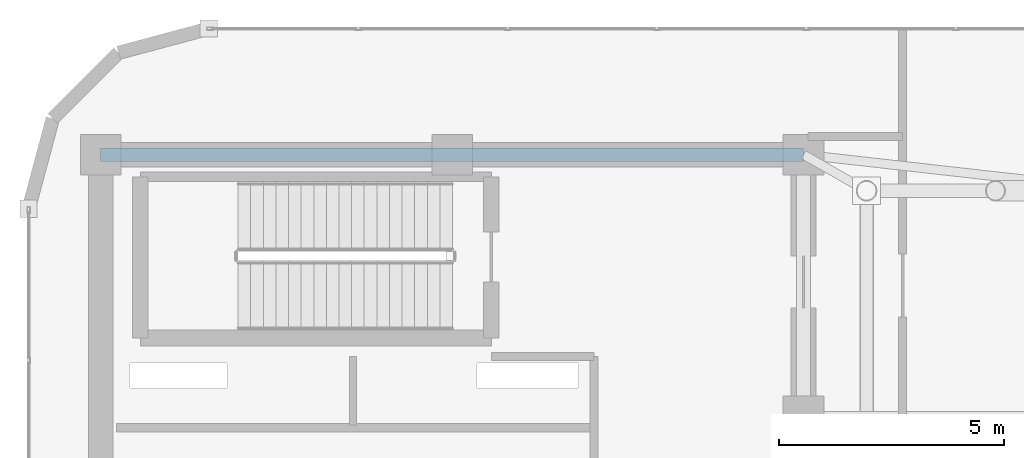
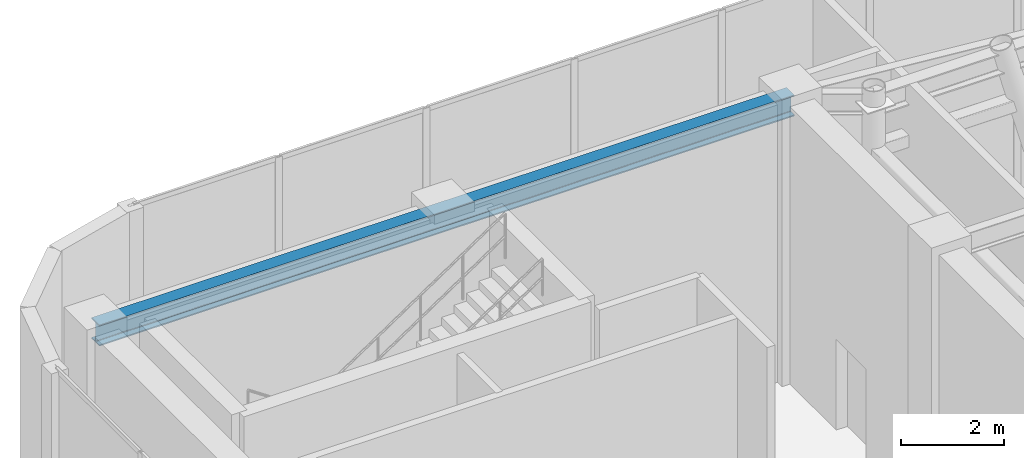
# One storey, part 12 of 24: 1 beam.
"""IFC4 building model written with IfcOpenShell, lengths in metres."""

from ifc_helpers import new_model, si_unit, direction, frame, origin, origin_2d, place, context, subcontext, project, spatial, i_section, extrude, material, material_profile, profile_set, type_object, element, save


model = new_model("IFC4")

# Units and contexts
model_context = context("Model", 3, precision=1e-05, world=origin(), true_north=direction((0.0, 1.0)))
body_context = subcontext(model_context, "Body", "Model", "MODEL_VIEW")
ifc_project = project(units=[si_unit("LENGTHUNIT", "METRE"), si_unit("AREAUNIT", "SQUARE_METRE"), si_unit("VOLUMEUNIT", "CUBIC_METRE"), si_unit("PLANEANGLEUNIT", "RADIAN"), si_unit("MASSUNIT", "GRAM", prefix="KILO")], contexts=[model_context])

# Site, building, storey
site_placement = place(None, origin())
site = spatial("IfcSite", under=ifc_project, at=site_placement, CompositionType="ELEMENT")
building_placement = place(site_placement, origin())
building = spatial("IfcBuilding", under=site, at=building_placement, Name="An Khanh Terracotta Commons", CompositionType="ELEMENT")
storey_placement = place(building_placement, frame((0.0, 0.0, 315.199951171875)))
storey = spatial("IfcBuildingStorey", under=building, at=storey_placement, Name="L80 Crown Cooling Plant", CompositionType="ELEMENT", Elevation=315.199951171875)

# Beam
ifc_material = material(Name="Steel S355J2", Category="steel")
ifc_material_profile = material_profile(ifc_material, i_section(OverallWidth=0.300048828125, OverallDepth=0.5, WebThickness=0.014404296875, FlangeThickness=0.028076171875, FilletRadius=0.027099609375, at=origin_2d()), Name="HEB500")
ifc_profile_set = profile_set([ifc_material_profile], Name="Steel S355J2")
beam_type = type_object("IfcBeamType", Name="BM-HEB500", PredefinedType="BEAM", material=ifc_profile_set)
beam_placement = place(storey_placement, frame((21.60009765625, 33.60009765625, 6.330078125), z_axis=(1.0, 0.0, 0.0), x_axis=(0.0, 1.0, 0.0)))
element("IfcBeam", 1, at=beam_placement, inside=storey, type_object=beam_type, Name="L80 Crown Cooling Plant Core North Coupling Girder", PredefinedType="BEAM", context=body_context, shape_type="SweptSolid", body=[
    extrude(i_section(OverallWidth=0.300048828125, OverallDepth=0.5, WebThickness=0.014404296875, FlangeThickness=0.028076171875, FilletRadius=0.027099609375, at=origin_2d()), origin(), (0.0, 0.0, 1.0), 15.599853515625),
])

save(model, "model.ifc")
